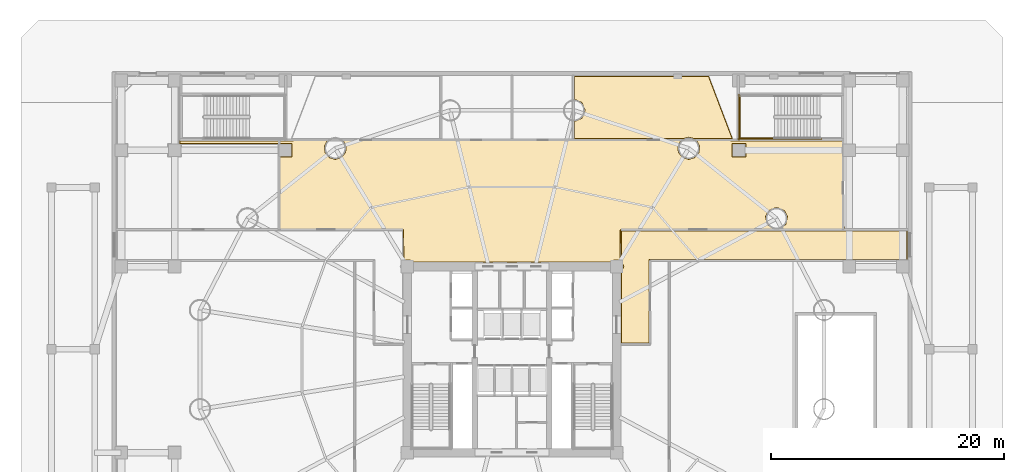
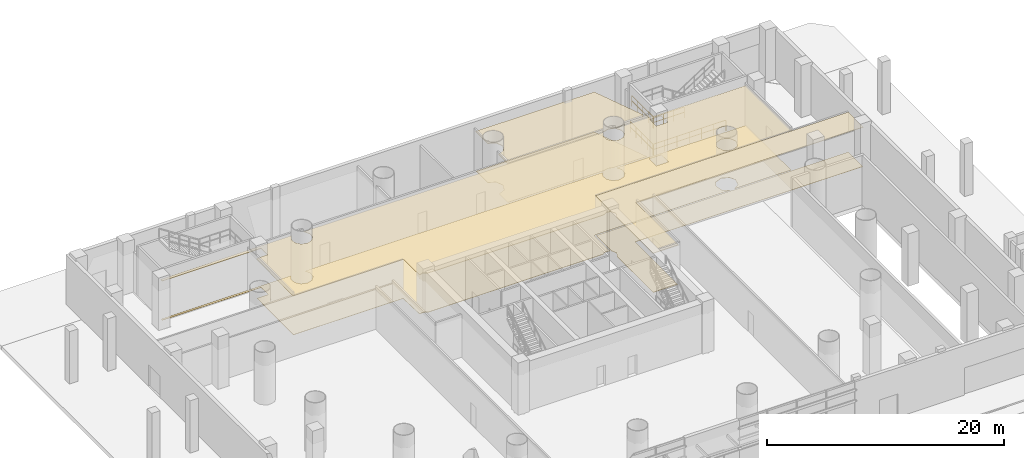
# One storey, part 21 of 25: 6 coverings, 4 railings.
"""IFC4 building model written with IfcOpenShell, lengths in metres."""

from ifc_helpers import new_model, si_unit, direction, frame, origin, origin_2d, place, context, subcontext, project, spatial, polyline, rectangle, outline, extrude, material, layer, layer_set, type_object, element, save


model = new_model("IFC4")

# Units and contexts
model_context = context("Model", 3, precision=1e-05, world=origin(), true_north=direction((-0.2419218956, 0.970295726276)))
body_context = subcontext(model_context, "Body", "Model", "MODEL_VIEW")
ifc_project = project(units=[si_unit("LENGTHUNIT", "METRE"), si_unit("AREAUNIT", "SQUARE_METRE"), si_unit("VOLUMEUNIT", "CUBIC_METRE"), si_unit("PLANEANGLEUNIT", "RADIAN"), si_unit("MASSUNIT", "GRAM", prefix="KILO")], contexts=[model_context])

# Site, building, storey
site_placement = place(None, origin())
site = spatial("IfcSite", under=ifc_project, at=site_placement, CompositionType="ELEMENT")
building_placement = place(site_placement, origin())
building = spatial("IfcBuilding", under=site, at=building_placement, Name="Cobrevalo Terracotta Tower", CompositionType="ELEMENT")
storey_placement = place(building_placement, origin())
storey = spatial("IfcBuildingStorey", under=building, at=storey_placement, Name="L00", CompositionType="ELEMENT", Elevation=0.0)

# Coverings
ifc_material_1 = material(Name="Honed terracotta and granite tile", Category="masonry")
ifc_layer_1 = layer(ifc_material_1, 0.034912109375)
ifc_layer_set_1 = layer_set([ifc_layer_1], Name="Honed terracotta and granite tile")
covering_type_1 = type_object("IfcCoveringType", Name="Honed Terracotta & Granite Interior Flooring 35", PredefinedType="FLOORING", material=ifc_layer_set_1)
covering_1_placement = place(storey_placement, origin())
element("IfcCovering", 1, at=covering_1_placement, inside=storey, type_object=covering_type_1, Name="North Arrival Concourse Corridor floor finish", PredefinedType="FLOORING", context=body_context, shape_type="SweptSolid", body=[
    extrude(outline(polyline([(19.10009765625, 45.39990234375), (9.469970703125, 45.39990234375), (9.469970703125, 45.580078125), (22.11279296875, 45.6298828125), (21.863525390625, 45.155029296875), (21.918212890625, 44.60009765625), (22.271728515625, 44.16943359375), (22.80517578125, 44.007568359375), (23.338623046875, 44.16943359375), (23.692138671875, 44.60009765625), (23.746826171875, 45.155029296875), (23.49755859375, 45.6298828125), (52.50244140625, 45.6298828125), (52.253173828125, 45.155029296875), (52.307861328125, 44.60009765625), (52.661376953125, 44.16943359375), (53.19482421875, 44.007568359375), (53.728271484375, 44.16943359375), (54.081787109375, 44.60009765625), (54.136474609375, 45.155029296875), (53.88720703125, 45.6298828125), (66.449951171875, 45.580078125), (66.471923828125, 38.0), (60.935791015625, 38.0), (61.5390625, 38.40576171875), (61.682373046875, 39.12646484375), (61.419677734375, 39.6181640625), (60.74072265625, 39.8994140625), (60.061767578125, 39.6181640625), (59.799072265625, 39.12646484375), (59.9423828125, 38.40576171875), (60.545654296875, 38.0), (47.362060546875, 37.99951171875), (47.27490234375, 37.903564453125), (47.27490234375, 35.34814453125), (46.7626953125, 35.373291015625), (46.5322265625, 35.195068359375), (29.4677734375, 35.195068359375), (29.2373046875, 35.373291015625), (28.72509765625, 35.34814453125), (28.65478515625, 37.99658203125), (17.97802734375, 38.0), (18.0, 44.199951171875), (19.10009765625, 44.199951171875), (19.10009765625, 45.39990234375)]), holes=[polyline([(56.89990234375, 45.39990234375), (56.89990234375, 44.199951171875), (58.10009765625, 44.199951171875), (58.10009765625, 45.39990234375), (56.89990234375, 45.39990234375)])]), origin(), (0.0, 0.0, 1.0), 0.030029296875),
])
covering_2_placement = place(storey_placement, origin())
element("IfcCovering", 2, at=covering_2_placement, inside=storey, type_object=covering_type_1, Name="East Protected Exit Discharge Passage floor finish", PredefinedType="FLOORING", context=body_context, shape_type="SweptSolid", body=[
    extrude(outline(polyline([(49.780029296875, 35.419921875), (49.780029296875, 28.219970703125), (47.39501953125, 28.219970703125), (47.39501953125, 34.33203125), (47.620361328125, 34.800048828125), (47.39501953125, 35.267822265625), (47.39501953125, 37.8798828125), (71.9599609375, 37.8798828125), (71.9599609375, 35.419921875), (49.780029296875, 35.419921875)])), origin(), (0.0, 0.0, 1.0), 0.030029296875),
])
covering_3_placement = place(storey_placement, origin())
element("IfcCovering", 3, at=covering_3_placement, inside=storey, type_object=covering_type_1, Name="Concierge Mail and Parcel Suite floor finish", PredefinedType="FLOORING", context=body_context, shape_type="SweptSolid", body=[
    extrude(outline(polyline([(56.9208984375, 45.81005859375), (53.645751953125, 45.81005859375), (53.19482421875, 45.927734375), (52.743896484375, 45.81005859375), (43.3798828125, 45.81005859375), (43.3798828125, 47.2744140625), (44.0146484375, 47.55126953125), (44.2958984375, 48.230224609375), (44.0146484375, 48.908935546875), (43.3798828125, 49.185791015625), (43.3798828125, 51.159912109375), (54.88623046875, 51.159912109375), (56.9208984375, 45.81005859375)])), origin(), (0.0, 0.0, 1.0), 0.030029296875),
])
ifc_material_2 = material(Name="Acoustic perforated gypsum ceiling", Category="gypsum")
ifc_layer_2 = layer(ifc_material_2, 0.050048828125)
ifc_layer_set_2 = layer_set([ifc_layer_2], Name="Acoustic perforated gypsum ceiling")
covering_type_2 = type_object("IfcCoveringType", Name="Perforated Acoustic Gypsum Ceiling 50", PredefinedType="CEILING", material=ifc_layer_set_2)
covering_4_placement = place(storey_placement, frame((0.0, 0.0, 4.06005859375)))
element("IfcCovering", 4, at=covering_4_placement, inside=storey, type_object=covering_type_2, Name="North Arrival Concourse Corridor acoustic ceiling", PredefinedType="CEILING", context=body_context, shape_type="SweptSolid", body=[
    extrude(outline(polyline([(19.054931640625, 45.35498046875), (9.425048828125, 45.35498046875), (9.425048828125, 45.625), (22.207763671875, 45.675048828125), (21.907958984375, 45.14599609375), (21.9599609375, 44.617431640625), (22.296875, 44.20703125), (22.80517578125, 44.052734375), (23.3134765625, 44.20703125), (23.650390625, 44.617431640625), (23.702392578125, 45.14599609375), (23.40234375, 45.675048828125), (52.59765625, 45.675048828125), (52.297607421875, 45.14599609375), (52.349609375, 44.617431640625), (52.6865234375, 44.20703125), (53.19482421875, 44.052734375), (53.703125, 44.20703125), (54.0400390625, 44.617431640625), (54.092041015625, 45.14599609375), (53.792236328125, 45.675048828125), (66.4951171875, 45.625), (66.568115234375, 37.955078125), (60.751708984375, 37.954833984375), (61.3876953125, 38.292236328125), (61.655517578125, 38.939208984375), (61.3876953125, 39.586181640625), (60.74072265625, 39.85400390625), (60.09375, 39.586181640625), (59.825927734375, 38.939208984375), (60.09375, 38.292236328125), (60.729736328125, 37.954833984375), (47.37353515625, 37.95458984375), (47.320068359375, 35.263916015625), (47.0, 35.37451171875), (46.55615234375, 35.14990234375), (29.44384765625, 35.14990234375), (29.0, 35.37451171875), (28.679931640625, 35.263916015625), (28.639892578125, 37.95166015625), (17.882080078125, 37.955078125), (17.955078125, 44.2451171875), (19.054931640625, 44.2451171875), (19.054931640625, 45.35498046875)]), holes=[polyline([(56.945068359375, 45.35498046875), (56.945068359375, 44.2451171875), (58.054931640625, 44.2451171875), (58.054931640625, 45.35498046875), (56.945068359375, 45.35498046875)])]), origin(), (0.0, 0.0, 1.0), 0.050048828125),
])
covering_5_placement = place(storey_placement, frame((0.0, 0.0, 4.06005859375)))
element("IfcCovering", 5, at=covering_5_placement, inside=storey, type_object=covering_type_2, Name="East Protected Exit Discharge Passage acoustic ceiling", PredefinedType="CEILING", context=body_context, shape_type="SweptSolid", body=[
    extrude(outline(polyline([(49.824951171875, 35.375), (49.824951171875, 28.175048828125), (47.35009765625, 28.175048828125), (47.35009765625, 34.356201171875), (47.574462890625, 34.800048828125), (47.35009765625, 35.243896484375), (47.35009765625, 37.925048828125), (72.0048828125, 37.925048828125), (72.0048828125, 35.375), (49.824951171875, 35.375)])), origin(), (0.0, 0.0, 1.0), 0.050048828125),
])
covering_6_placement = place(storey_placement, frame((0.0, 0.0, 4.06005859375)))
element("IfcCovering", 6, at=covering_6_placement, inside=storey, type_object=covering_type_2, Name="Concierge Mail and Parcel Suite acoustic ceiling", PredefinedType="CEILING", context=body_context, shape_type="SweptSolid", body=[
    extrude(outline(polyline([(56.986328125, 45.764892578125), (53.634521484375, 45.764892578125), (53.19482421875, 45.882568359375), (52.755126953125, 45.764892578125), (43.3349609375, 45.764892578125), (43.3349609375, 47.315185546875), (43.982666015625, 47.583251953125), (44.25048828125, 48.230224609375), (43.982666015625, 48.877197265625), (43.3349609375, 49.14501953125), (43.3349609375, 51.205078125), (54.917236328125, 51.205078125), (56.986328125, 45.764892578125)])), origin(), (0.0, 0.0, 1.0), 0.050048828125),
])

# Railings
ifc_material_3 = material(Name="Painted galvanized steel", Category="steel")
railing_type = type_object("IfcRailingType", Name="Stair Well Guard Balustrade 1150", PredefinedType="GUARDRAIL", material=ifc_material_3)
railing_1_placement = place(storey_placement, frame((60.580078125, 45.85009765625, 2.699951171875)))
element("IfcRailing", 7, at=railing_1_placement, inside=storey, type_object=railing_type, Name="L00 ST-P2 stair guard 4", PredefinedType="GUARDRAIL", context=body_context, shape_type="SweptSolid", body=[
    extrude(rectangle(XDim=0.048095703125, YDim=0.048095703125, at=origin_2d()), frame((0.0, 0.0, 1.1259765625), z_axis=(-1.0, 0.0, 0.0), x_axis=(0.0, -1.0, 0.0)), (0.0, 0.0, 1.0), 3.030029296875),
    extrude(rectangle(XDim=0.048095703125, YDim=0.048095703125, at=origin_2d()), frame((0.0, 0.0, 0.574951171875), z_axis=(-1.0, 0.0, 0.0), x_axis=(0.0, -1.0, 0.0)), (0.0, 0.0, 1.0), 3.030029296875),
    extrude(rectangle(XDim=0.0419921875, YDim=0.0419921875, at=origin_2d()), origin(), (0.0, 0.0, 1.0), 1.101806640625),
    extrude(rectangle(XDim=0.0419921875, YDim=0.0419921875, at=origin_2d()), frame((-1.010009765625, 0.0, 0.0)), (0.0, 0.0, 1.0), 1.101806640625),
    extrude(rectangle(XDim=0.0419921875, YDim=0.0419921875, at=origin_2d()), frame((-2.02001953125, 0.0, 0.0)), (0.0, 0.0, 1.0), 1.101806640625),
    extrude(rectangle(XDim=0.0419921875, YDim=0.0419921875, at=origin_2d()), frame((-3.030029296875, 0.0, 0.0)), (0.0, 0.0, 1.0), 1.101806640625),
])
railing_2_placement = place(storey_placement, frame((57.60009765625, 49.52001953125, 2.699951171875)))
element("IfcRailing", 8, at=railing_2_placement, inside=storey, type_object=railing_type, Name="L00 ST-P2 stair guard 5", PredefinedType="GUARDRAIL", context=body_context, shape_type="SweptSolid", body=[
    extrude(rectangle(XDim=0.048095703125, YDim=0.048095703125, at=origin_2d()), frame((0.0, 0.0, 1.1259765625), z_axis=(0.0, -1.0, 0.0), x_axis=(1.0, 0.0, 0.0)), (0.0, 0.0, 1.0), 3.719970703125),
    extrude(rectangle(XDim=0.048095703125, YDim=0.048095703125, at=origin_2d()), frame((0.0, 0.0, 0.574951171875), z_axis=(0.0, -1.0, 0.0), x_axis=(1.0, 0.0, 0.0)), (0.0, 0.0, 1.0), 3.719970703125),
    extrude(rectangle(XDim=0.0419921875, YDim=0.0419921875, at=origin_2d()), origin(), (0.0, 0.0, 1.0), 1.101806640625),
    extrude(rectangle(XDim=0.0419921875, YDim=0.0419921875, at=origin_2d()), frame((0.0, -0.929931640625, 0.0)), (0.0, 0.0, 1.0), 1.101806640625),
    extrude(rectangle(XDim=0.0419921875, YDim=0.0419921875, at=origin_2d()), frame((0.0, -1.85986328125, 0.0)), (0.0, 0.0, 1.0), 1.101806640625),
    extrude(rectangle(XDim=0.0419921875, YDim=0.0419921875, at=origin_2d()), frame((0.0, -2.7900390625, 0.0)), (0.0, 0.0, 1.0), 1.101806640625),
    extrude(rectangle(XDim=0.0419921875, YDim=0.0419921875, at=origin_2d()), frame((0.0, -3.719970703125, 0.0)), (0.0, 0.0, 1.0), 1.101806640625),
])
railing_3_placement = place(storey_placement, frame((64.60009765625, 45.75, 0.0)))
element("IfcRailing", 9, at=railing_3_placement, inside=storey, type_object=railing_type, Name="L00 ST-P2 stair guard 11", PredefinedType="GUARDRAIL", context=body_context, shape_type="SweptSolid", body=[
    extrude(rectangle(XDim=0.048095703125, YDim=0.048095703125, at=origin_2d()), frame((0.0, 0.0, 1.1259765625), z_axis=(-1.0, 0.0, 0.0), x_axis=(0.0, -1.0, 0.0)), (0.0, 0.0, 1.0), 7.150146484375),
    extrude(rectangle(XDim=0.048095703125, YDim=0.048095703125, at=origin_2d()), frame((0.0, 0.0, 0.574951171875), z_axis=(-1.0, 0.0, 0.0), x_axis=(0.0, -1.0, 0.0)), (0.0, 0.0, 1.0), 7.150146484375),
    extrude(rectangle(XDim=0.0419921875, YDim=0.0419921875, at=origin_2d()), origin(), (0.0, 0.0, 1.0), 1.101806640625),
    extrude(rectangle(XDim=0.0419921875, YDim=0.0419921875, at=origin_2d()), frame((-1.191650390625, 0.0, 0.0)), (0.0, 0.0, 1.0), 1.101806640625),
    extrude(rectangle(XDim=0.0419921875, YDim=0.0419921875, at=origin_2d()), frame((-2.38330078125, 0.0, 0.0)), (0.0, 0.0, 1.0), 1.101806640625),
    extrude(rectangle(XDim=0.0419921875, YDim=0.0419921875, at=origin_2d()), frame((-3.5751953125, 0.0, 0.0)), (0.0, 0.0, 1.0), 1.101806640625),
    extrude(rectangle(XDim=0.0419921875, YDim=0.0419921875, at=origin_2d()), frame((-4.766845703125, 0.0, 0.0)), (0.0, 0.0, 1.0), 1.101806640625),
    extrude(rectangle(XDim=0.0419921875, YDim=0.0419921875, at=origin_2d()), frame((-5.95849609375, 0.0, 0.0)), (0.0, 0.0, 1.0), 1.101806640625),
    extrude(rectangle(XDim=0.0419921875, YDim=0.0419921875, at=origin_2d()), frame((-7.150146484375, 0.0, 0.0)), (0.0, 0.0, 1.0), 1.101806640625),
])
railing_4_placement = place(storey_placement, frame((57.5, 49.6201171875, 0.0)))
element("IfcRailing", 10, at=railing_4_placement, inside=storey, type_object=railing_type, Name="L00 ST-P2 stair guard 12", PredefinedType="GUARDRAIL", context=body_context, shape_type="SweptSolid", body=[
    extrude(rectangle(XDim=0.048095703125, YDim=0.048095703125, at=origin_2d()), frame((0.0, 0.0, 1.1259765625), z_axis=(0.0, -1.0, 0.0), x_axis=(1.0, 0.0, 0.0)), (0.0, 0.0, 1.0), 3.920166015625),
    extrude(rectangle(XDim=0.048095703125, YDim=0.048095703125, at=origin_2d()), frame((0.0, 0.0, 0.574951171875), z_axis=(0.0, -1.0, 0.0), x_axis=(1.0, 0.0, 0.0)), (0.0, 0.0, 1.0), 3.920166015625),
    extrude(rectangle(XDim=0.0419921875, YDim=0.0419921875, at=origin_2d()), origin(), (0.0, 0.0, 1.0), 1.101806640625),
    extrude(rectangle(XDim=0.0419921875, YDim=0.0419921875, at=origin_2d()), frame((0.0, -0.97998046875, 0.0)), (0.0, 0.0, 1.0), 1.101806640625),
    extrude(rectangle(XDim=0.0419921875, YDim=0.0419921875, at=origin_2d()), frame((0.0, -1.9599609375, 0.0)), (0.0, 0.0, 1.0), 1.101806640625),
    extrude(rectangle(XDim=0.0419921875, YDim=0.0419921875, at=origin_2d()), frame((0.0, -2.940185546875, 0.0)), (0.0, 0.0, 1.0), 1.101806640625),
    extrude(rectangle(XDim=0.0419921875, YDim=0.0419921875, at=origin_2d()), frame((0.0, -3.920166015625, 0.0)), (0.0, 0.0, 1.0), 1.101806640625),
])

save(model, "model.ifc")
